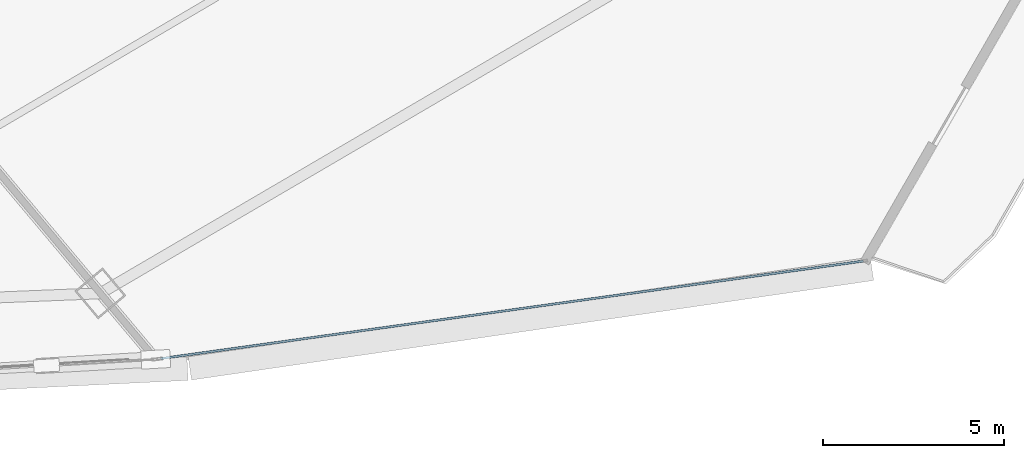
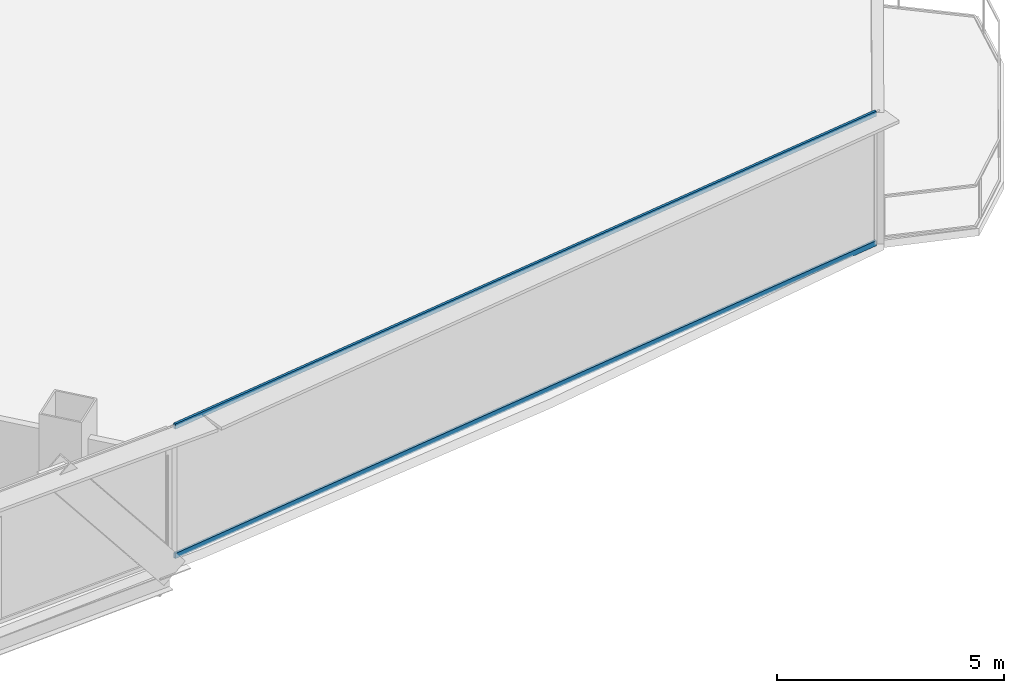
# One storey, part 19 of 38: 2 members, 1 element without a shape of its own.
"""IFC4 building model written with IfcOpenShell, lengths in metres."""

from ifc_helpers import new_model, si_unit, direction, frame, origin, origin_2d, place, context, subcontext, project, spatial, hollow_rectangle, extrude, source, transform, mapped, material, layer, layer_set, material_profile, profile_set, type_object, element, aggregate, save


model = new_model("IFC4")

# Units and contexts
model_context = context("Model", 3, precision=1e-05, world=origin(), true_north=direction((0.0, 1.0)))
body_context = subcontext(model_context, "Body", "Model", "MODEL_VIEW")
ifc_project = project(units=[si_unit("LENGTHUNIT", "METRE"), si_unit("AREAUNIT", "SQUARE_METRE"), si_unit("VOLUMEUNIT", "CUBIC_METRE"), si_unit("PLANEANGLEUNIT", "RADIAN"), si_unit("MASSUNIT", "GRAM", prefix="KILO"), si_unit("THERMODYNAMICTEMPERATUREUNIT", "KELVIN"), si_unit("POWERUNIT", "WATT")], contexts=[model_context])

# Site, building, storey
site_placement = place(None, origin())
site = spatial("IfcSite", under=ifc_project, at=site_placement, CompositionType="ELEMENT")
building_placement = place(site_placement, origin())
building = spatial("IfcBuilding", under=site, at=building_placement, Name="Yunzhuo Pagoda Commons", CompositionType="ELEMENT")
storey_placement = place(building_placement, frame((0.0, 0.0, 81.179931640625)))
storey = spatial("IfcBuildingStorey", under=building, at=storey_placement, Name="L20", CompositionType="ELEMENT", Elevation=81.179931640625)

# Curtain wall, members
ifc_material = material(Name="Anodized aluminium 6063-T6", Category="aluminium")
ifc_layer = layer(ifc_material, 0.1650390625)
ifc_layer_set = layer_set([ifc_layer], Name="Anodized aluminium 6063-T6")
curtain_wall_type = type_object("IfcCurtainWallType", Name="CW-LOW Low-Zone Ribbon Curtain Wall", PredefinedType="NOTDEFINED", material=ifc_layer_set)
curtain_wall_placement = place(storey_placement, origin())
curtain_wall = element("IfcCurtainWall", 1, at=curtain_wall_placement, inside=storey, type_object=curtain_wall_type, Name="L20 curtain wall CW-L20-F1B5", PredefinedType="NOTDEFINED")
ifc_material_profile = material_profile(ifc_material, hollow_rectangle(XDim=0.06005859375, YDim=0.139892578125, WallThickness=0.00341796875, at=origin_2d()), Name="Anodized aluminium 6063-T6")
ifc_profile_set = profile_set([ifc_material_profile], Name="Anodized aluminium 6063-T6")
member_type = type_object("IfcMemberType", Name="CW-LOW-T Transom RHS 140x60x3.5", PredefinedType="USERDEFINED", material=ifc_profile_set)
shared_shape = source(origin(), body_context, "Body", "SweptSolid", [
    extrude(hollow_rectangle(XDim=0.06005859375, YDim=0.139892578125, WallThickness=0.00341796875, at=origin_2d()), origin(), (0.0, 0.0, 1.0), 19.557861328125),
])
member_1_placement = place(storey_placement, frame((66.100830078125, 12.312744140625, 0.030029296875), z_axis=(0.990501720506, 0.137500333359, 0.0), x_axis=(-0.137500333359, 0.990501720506, 0.0)))
member_1 = element("IfcMember", 2, at=member_1_placement, type_object=member_type, Name="CW transom 1.1", ObjectType="TRANSOM", PredefinedType="USERDEFINED", context=body_context, shape_type="MappedRepresentation", body=[
    mapped(shared_shape, transform((0.0, 0.0, 0.0), scale=1.0)),
])
member_2_placement = place(storey_placement, frame((66.100830078125, 12.312744140625, 3.510009765625), z_axis=(0.990501720506, 0.137500333359, 0.0), x_axis=(-0.137500333359, 0.990501720506, 0.0)))
member_2 = element("IfcMember", 3, at=member_2_placement, type_object=member_type, Name="CW transom 1.2", ObjectType="TRANSOM", PredefinedType="USERDEFINED", context=body_context, shape_type="MappedRepresentation", body=[
    mapped(shared_shape, transform((0.0, 0.0, 0.0), scale=1.0)),
])
aggregate(curtain_wall, [member_1, member_2])

save(model, "model.ifc")
